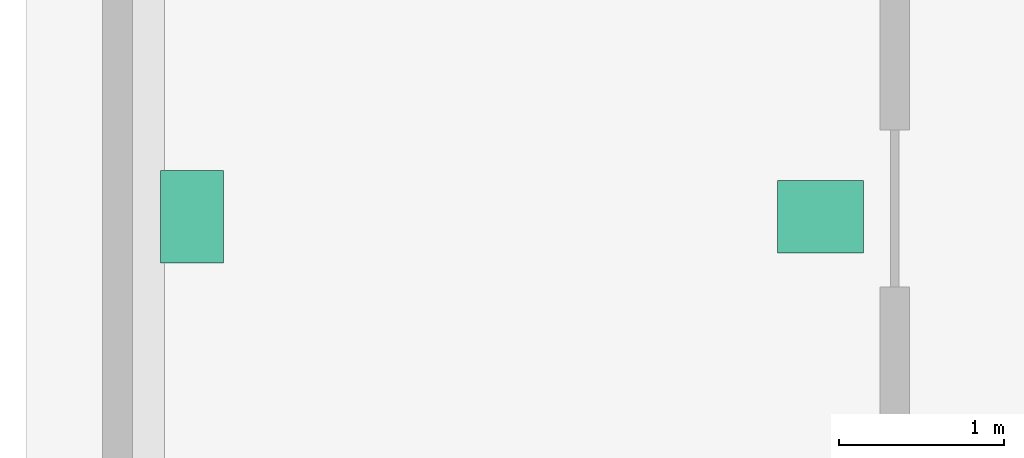
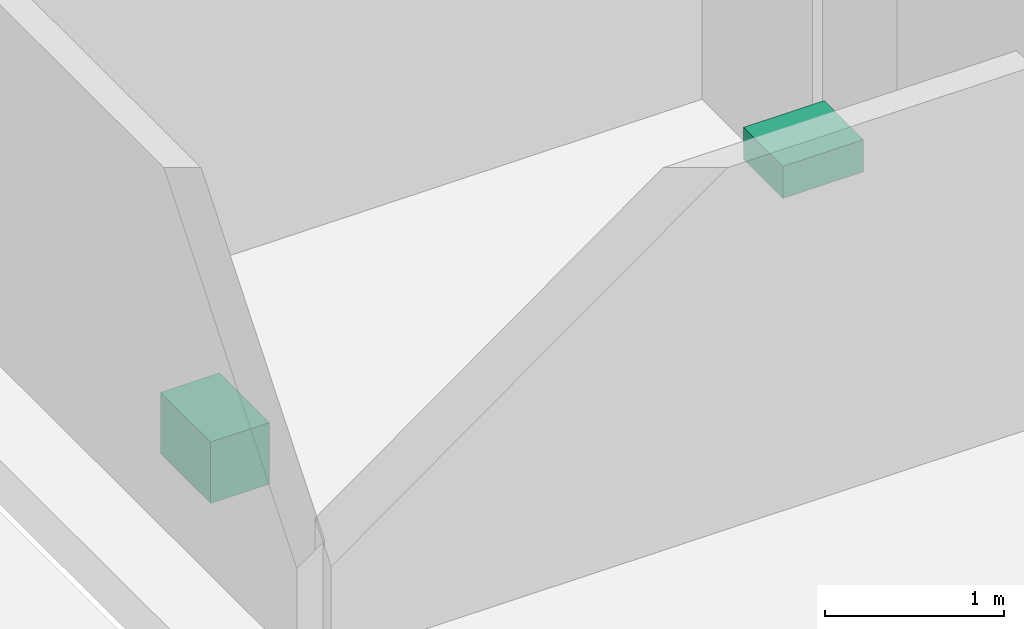
# One storey, part 11 of 11: 2 sanitary terminals.
"""IFC4 building model written with IfcOpenShell, lengths in metres."""

from ifc_helpers import new_model, si_unit, direction, frame, origin, origin_2d, place, context, subcontext, project, spatial, rectangle, extrude, material, type_object, element, save


model = new_model("IFC4")

# Units and contexts
model_context = context("Model", 3, precision=1e-05, world=origin(), true_north=direction((0.0, 1.0)))
body_context = subcontext(model_context, "Body", "Model", "MODEL_VIEW")
ifc_project = project(units=[si_unit("LENGTHUNIT", "METRE"), si_unit("AREAUNIT", "SQUARE_METRE"), si_unit("VOLUMEUNIT", "CUBIC_METRE"), si_unit("PLANEANGLEUNIT", "RADIAN"), si_unit("MASSUNIT", "GRAM", prefix="KILO")], contexts=[model_context])

# Site, building, storey
site_placement = place(None, origin())
site = spatial("IfcSite", under=ifc_project, at=site_placement, CompositionType="ELEMENT")
building_placement = place(site_placement, origin())
building = spatial("IfcBuilding", under=site, at=building_placement, Name="Barlavira Tower and Art Museum", CompositionType="ELEMENT")
storey_placement = place(building_placement, frame((0.0, 0.0, -3.60009765625)))
storey = spatial("IfcBuildingStorey", under=building, at=storey_placement, Name="B01", CompositionType="ELEMENT", Elevation=-3.60009765625)

# Sanitary terminals
ifc_material = material(Name="Vitreous glazed ceramic", Category="ceramic")
sanitary_terminal_type_1 = type_object("IfcSanitaryTerminalType", Name="Countertop Ceramic Wash Hand Basin", PredefinedType="WASHHANDBASIN", material=ifc_material)
sanitary_terminal_1_placement = place(storey_placement, frame((34.050048828125, -9.64990234375, 0.740234375), z_axis=(0.0, 0.0, 1.0), x_axis=(1.0, 0.0, 0.0)))
element("IfcSanitaryTerminal", 1, at=sanitary_terminal_1_placement, inside=storey, type_object=sanitary_terminal_type_1, Name="B01-B-AWC Wash Basin", PredefinedType="WASHHANDBASIN", context=body_context, shape_type="SweptSolid", body=[
    extrude(rectangle(XDim=0.52001953125, YDim=0.43994140625, at=origin_2d()), origin(), (0.0, 0.0, 1.0), 0.219970703125),
])
sanitary_terminal_type_2 = type_object("IfcSanitaryTerminalType", Name="Wall-Hung Dual-Flush Vitreous WC Pan", PredefinedType="TOILETPAN", material=ifc_material)
sanitary_terminal_2_placement = place(storey_placement, frame((30.25, -9.64990234375, 0.000244140625), z_axis=(0.0, 0.0, 1.0), x_axis=(1.0, 0.0, 0.0)))
element("IfcSanitaryTerminal", 2, at=sanitary_terminal_2_placement, inside=storey, type_object=sanitary_terminal_type_2, Name="B01-B-AWC WC Pan", PredefinedType="TOILETPAN", context=body_context, shape_type="SweptSolid", body=[
    extrude(rectangle(XDim=0.3798828125, YDim=0.56005859375, at=origin_2d()), origin(), (0.0, 0.0, 1.0), 0.419921875),
])

save(model, "model.ifc")
